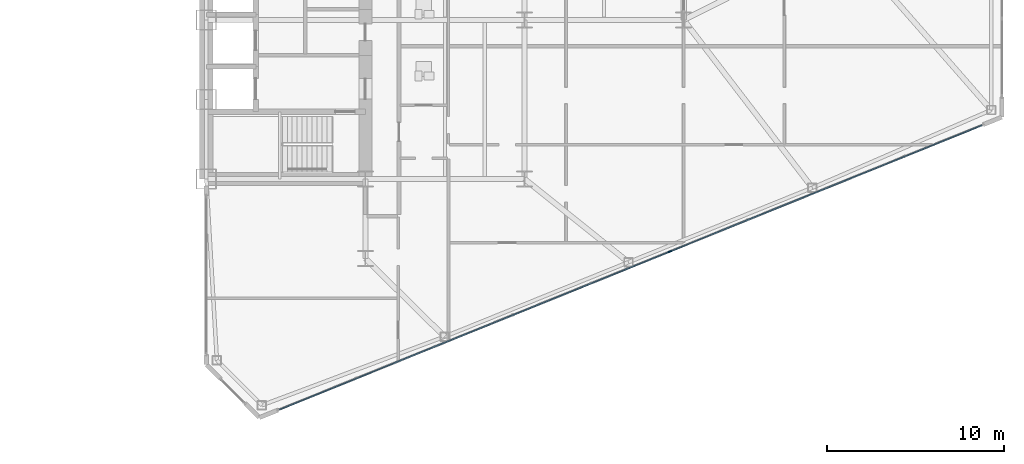
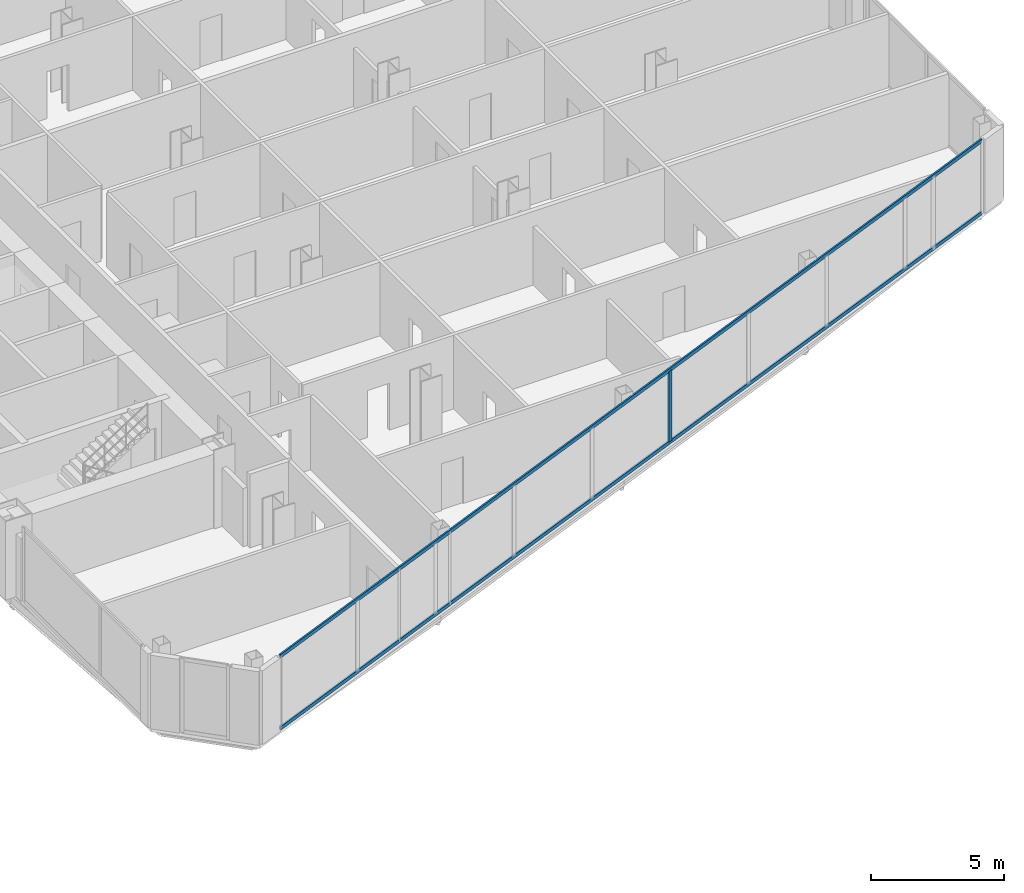
# One storey, part 10 of 25: 3 members, 1 element without a shape of its own.
"""IFC4 building model written with IfcOpenShell, lengths in metres."""

from ifc_helpers import new_model, si_unit, direction, frame, origin, origin_2d, place, context, subcontext, project, spatial, rectangle, extrude, source, transform, mapped, material, layer, layer_set, material_profile, profile_set, type_object, type_shapes, element, aggregate, save


model = new_model("IFC4")

# Units and contexts
model_context = context("Model", 3, precision=1e-05, world=origin(), true_north=direction((0.0, 1.0)))
body_context = subcontext(model_context, "Body", "Model", "MODEL_VIEW")
ifc_project = project(units=[si_unit("LENGTHUNIT", "METRE"), si_unit("AREAUNIT", "SQUARE_METRE"), si_unit("VOLUMEUNIT", "CUBIC_METRE"), si_unit("PLANEANGLEUNIT", "RADIAN"), si_unit("MASSUNIT", "GRAM", prefix="KILO")], contexts=[model_context])

# Site, building, storey
site_placement = place(None, origin())
site = spatial("IfcSite", under=ifc_project, at=site_placement, CompositionType="ELEMENT")
building_placement = place(site_placement, origin())
building = spatial("IfcBuilding", under=site, at=building_placement, Name="Seokmaru Belvedere", CompositionType="ELEMENT")
storey_placement = place(building_placement, frame((0.0, 0.0, 29.699951171875)))
storey = spatial("IfcBuildingStorey", under=building, at=storey_placement, Name="L07", CompositionType="ELEMENT", Elevation=29.699951171875)

# Curtain wall, members
ifc_material_1 = material(Name="Bronze Triple Insulating Glass", Category="glass")
ifc_layer = layer(ifc_material_1, 0.2099609375)
ifc_layer_set = layer_set([ifc_layer], Name="Bronze Triple Insulating Glass")
curtain_wall_type = type_object("IfcCurtainWallType", Name="Low-Rise Faceted Crystal Curtain Wall System CW-2", PredefinedType="NOTDEFINED", material=ifc_layer_set)
curtain_wall_placement = place(storey_placement, origin())
curtain_wall = element("IfcCurtainWall", 1, at=curtain_wall_placement, inside=storey, type_object=curtain_wall_type, Name="L07 Curtain Wall EF1", PredefinedType="NOTDEFINED")
ifc_material_2 = material(Name="Anodised Bronze Aluminium", Category="aluminium")
ifc_material_profile_1 = material_profile(ifc_material_2, rectangle(XDim=0.074951171875, YDim=0.2099609375, at=origin_2d()), Name="CW-M-75x210")
ifc_profile_set_1 = profile_set([ifc_material_profile_1], Name="Anodised Bronze Aluminium")
member_type_1 = type_object("IfcMemberType", Name="Bronze Unitised Mullion 75x210", PredefinedType="MULLION", material=ifc_profile_set_1)
shared_shape_1 = source(origin(), body_context, "Body", "SweptSolid", [
    extrude(rectangle(XDim=0.074951171875, YDim=0.2099609375, at=origin_2d()), origin(), (0.0, 0.0, 1.0), 3.239990234375),
])
type_shapes(member_type_1, [shared_shape_1])
member_1_placement = place(storey_placement, frame((53.71484375, -17.603515625, 0.070068359375), z_axis=(0.0, 0.0, 1.0), x_axis=(-0.375192321888, 0.926946989637, 0.0)))
member_1 = element("IfcMember", 2, at=member_1_placement, type_object=member_type_1, Name="CW:L07:EF1 Mullion 6", PredefinedType="MULLION", context=body_context, shape_type="MappedRepresentation", body=[
    mapped(shared_shape_1, transform((0.0, 0.0, 0.0), scale=1.0)),
])
ifc_material_profile_2 = material_profile(ifc_material_2, rectangle(XDim=0.070068359375, YDim=0.1650390625, at=origin_2d()), Name="CW-T-70x165")
ifc_profile_set_2 = profile_set([ifc_material_profile_2], Name="Anodised Bronze Aluminium")
member_type_2 = type_object("IfcMemberType", Name="Bronze Unitised Transom 70x165", PredefinedType="USERDEFINED", material=ifc_profile_set_2)
shared_shape_2 = source(origin(), body_context, "Body", "SweptSolid", [
    extrude(rectangle(XDim=0.070068359375, YDim=0.1650390625, at=origin_2d()), origin(), (0.0, 0.0, 1.0), 42.860107421875),
])
type_shapes(member_type_2, [shared_shape_2])
member_2_placement = place(storey_placement, frame((31.635498046875, -26.540283203125, 0.03515625), z_axis=(0.926948605599, 0.375188329481, 0.0), x_axis=(-0.375188329481, 0.926948605599, 0.0)))
member_2 = element("IfcMember", 3, at=member_2_placement, type_object=member_type_2, Name="CW:L07:EF1 Continuous Transom 1", ObjectType="TRANSOM", PredefinedType="USERDEFINED", context=body_context, shape_type="MappedRepresentation", body=[
    mapped(shared_shape_2, transform((0.0, 0.0, 0.0), scale=1.0)),
])
member_3_placement = place(storey_placement, frame((31.635498046875, -26.540283203125, 3.344970703125), z_axis=(0.926948605599, 0.375188329481, 0.0), x_axis=(-0.375188329481, 0.926948605599, 0.0)))
member_3 = element("IfcMember", 4, at=member_3_placement, type_object=member_type_2, Name="CW:L07:EF1 Continuous Transom 2", ObjectType="TRANSOM", PredefinedType="USERDEFINED", context=body_context, shape_type="MappedRepresentation", body=[
    mapped(shared_shape_2, transform((0.0, 0.0, 0.0), scale=1.0)),
])
aggregate(curtain_wall, [member_1, member_2, member_3])

save(model, "model.ifc")
